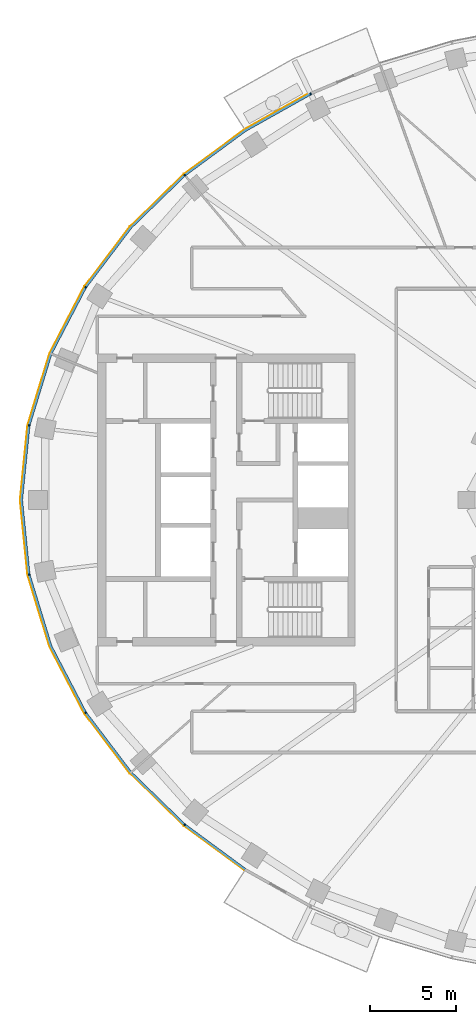
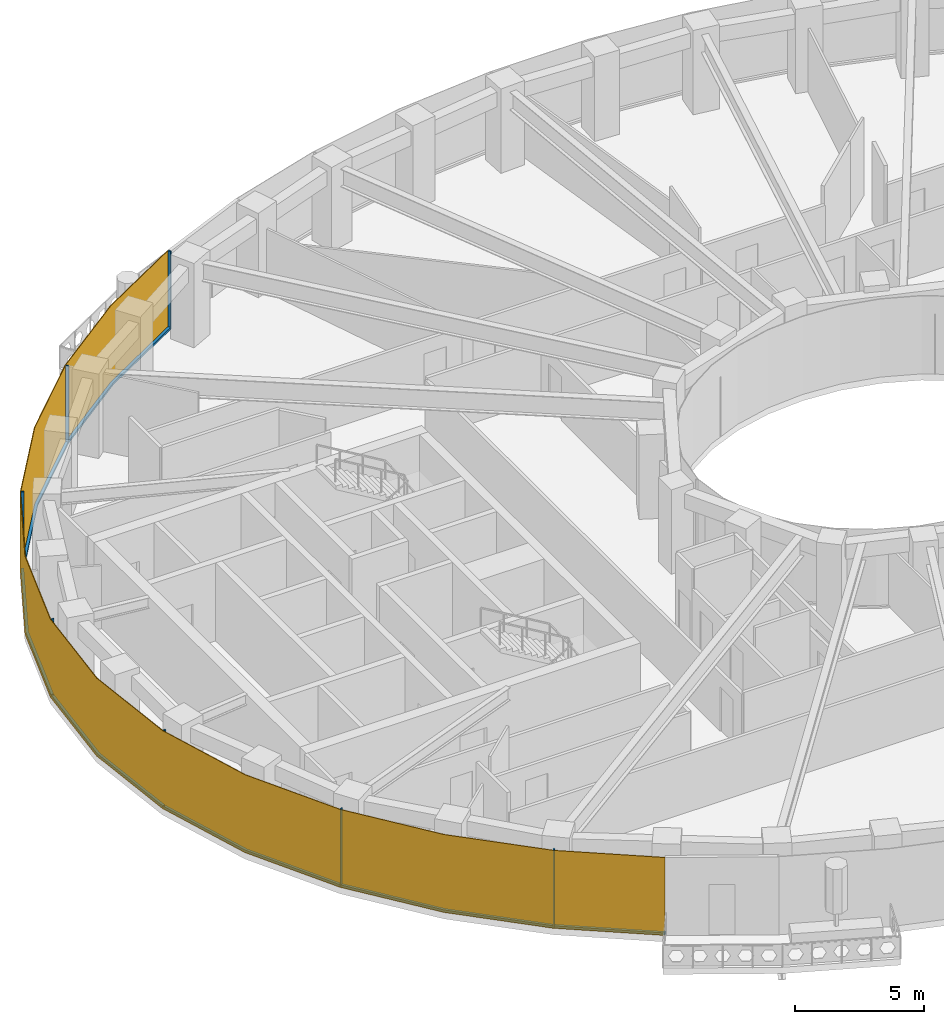
# One storey, part 8 of 15: 14 members, 1 curtain wall.
"""IFC4 building model written with IfcOpenShell, lengths in metres."""

from ifc_helpers import new_model, si_unit, direction, frame, origin, origin_2d, place, context, subcontext, project, spatial, polyline, rectangle, outline, extrude, material, layer, layer_set, material_profile, profile_set, type_object, element, aggregate, save


model = new_model("IFC4")

# Units and contexts
model_context = context("Model", 3, precision=1e-05, world=origin(), true_north=direction((0.0, 1.0)))
body_context = subcontext(model_context, "Body", "Model", "MODEL_VIEW")
ifc_project = project(units=[si_unit("LENGTHUNIT", "METRE"), si_unit("AREAUNIT", "SQUARE_METRE"), si_unit("VOLUMEUNIT", "CUBIC_METRE"), si_unit("PLANEANGLEUNIT", "RADIAN"), si_unit("MASSUNIT", "GRAM", prefix="KILO")], contexts=[model_context])

# Member
ifc_material_1 = material(Name="Aluminium 6063-T6 black anodised", Category="aluminium")
ifc_material_profile = material_profile(ifc_material_1, rectangle(XDim=0.1201171875, YDim=0.06005859375, at=origin_2d()), Name="120x60")
ifc_profile_set = profile_set([ifc_material_profile], Name="Aluminium 6063-T6 black anodised")
member_type_1 = type_object("IfcMemberType", Name="ENV-MULLION-A-120", PredefinedType="MULLION", material=ifc_profile_set)
site_placement = place(None, origin())
building_placement = place(site_placement, origin())
storey_placement = place(building_placement, frame((0.0, 0.0, 253.5)))
member_1_placement = place(storey_placement, frame((-19.06787109375, 23.6474609375, 0.0), z_axis=(0.0, 0.0, 1.0), x_axis=(0.439237769837, -0.898370848563, 0.0)))
member_1 = element("IfcMember", 1, at=member_1_placement, type_object=member_type_1, Name="Mullion A radial 17", PredefinedType="MULLION", context=body_context, shape_type="SweptSolid", body=[
    extrude(rectangle(XDim=0.1201171875, YDim=0.06005859375, at=origin_2d()), origin(), (0.0, 0.0, 1.0), 3.699951171875),
])

member_2_placement = place(storey_placement, frame((-26.403564453125, 18.9130859375, 0.0), z_axis=(0.0, 0.0, 1.0), x_axis=(0.646451313783, -0.762955240435, 0.0)))
member_2 = element("IfcMember", 2, at=member_2_placement, type_object=member_type_1, Name="Mullion A radial 19", PredefinedType="MULLION", context=body_context, shape_type="SweptSolid", body=[
    extrude(rectangle(XDim=0.1201171875, YDim=0.06005859375, at=origin_2d()), origin(), (0.0, 0.0, 1.0), 3.699951171875),
])

member_3_placement = place(storey_placement, frame((-32.177490234375, 12.385498046875, 0.0), z_axis=(0.0, 0.0, 1.0), x_axis=(0.844829880882, -0.53503501976, 0.0)))
member_3 = element("IfcMember", 3, at=member_3_placement, type_object=member_type_1, Name="Mullion A radial 21", PredefinedType="MULLION", context=body_context, shape_type="SweptSolid", body=[
    extrude(rectangle(XDim=0.1201171875, YDim=0.06005859375, at=origin_2d()), origin(), (0.0, 0.0, 1.0), 3.699951171875),
])

member_4_placement = place(storey_placement, frame((-35.470947265625, 4.340576171875, 0.0), z_axis=(0.0, 0.0, 1.0), x_axis=(0.980379083141, -0.19712141776, 0.0)))
member_4 = element("IfcMember", 4, at=member_4_placement, type_object=member_type_1, Name="Mullion A radial 23", PredefinedType="MULLION", context=body_context, shape_type="SweptSolid", body=[
    extrude(rectangle(XDim=0.1201171875, YDim=0.06005859375, at=origin_2d()), origin(), (0.0, 0.0, 1.0), 3.699951171875),
])

member_5_placement = place(storey_placement, frame((-35.470947265625, -4.340576171875, 0.0), z_axis=(0.0, 0.0, 1.0), x_axis=(0.980379083141, 0.19712141776, 0.0)))
member_5 = element("IfcMember", 5, at=member_5_placement, type_object=member_type_1, Name="Mullion A radial 25", PredefinedType="MULLION", context=body_context, shape_type="SweptSolid", body=[
    extrude(rectangle(XDim=0.1201171875, YDim=0.06005859375, at=origin_2d()), origin(), (0.0, 0.0, 1.0), 3.699951171875),
])

member_6_placement = place(storey_placement, frame((-32.177490234375, -12.385498046875, 0.0), z_axis=(0.0, 0.0, 1.0), x_axis=(0.844829880882, 0.53503501976, 0.0)))
member_6 = element("IfcMember", 6, at=member_6_placement, type_object=member_type_1, Name="Mullion A radial 27", PredefinedType="MULLION", context=body_context, shape_type="SweptSolid", body=[
    extrude(rectangle(XDim=0.1201171875, YDim=0.06005859375, at=origin_2d()), origin(), (0.0, 0.0, 1.0), 3.699951171875),
])

member_7_placement = place(storey_placement, frame((-26.403564453125, -18.9130859375, 0.0), z_axis=(0.0, 0.0, 1.0), x_axis=(0.646451313783, 0.762955240435, 0.0)))
member_7 = element("IfcMember", 7, at=member_7_placement, type_object=member_type_1, Name="Mullion A radial 29", PredefinedType="MULLION", context=body_context, shape_type="SweptSolid", body=[
    extrude(rectangle(XDim=0.1201171875, YDim=0.06005859375, at=origin_2d()), origin(), (0.0, 0.0, 1.0), 3.699951171875),
])

ifc_material_2 = material(Name="Aluminium 6063-T6 black anodised", Category="aluminium")
member_type_2 = type_object("IfcMemberType", Name="ENV-TRANSOM-A", PredefinedType="USERDEFINED", material=ifc_material_2)
member_8_placement = place(storey_placement, origin())
member_8 = element("IfcMember", 8, at=member_8_placement, type_object=member_type_2, Name="Transom A radial 17-19", ObjectType="TRANSOM", PredefinedType="USERDEFINED", context=body_context, shape_type="SweptSolid", body=[
    extrude(outline(polyline([(-19.11865234375, 23.687744140625), (-22.9150390625, 21.556884765625), (-26.419921875, 18.975341796875), (-26.342041015625, 18.883544921875), (-22.85009765625, 21.455810546875), (-19.06591796875, 23.57958984375), (-19.11865234375, 23.687744140625)])), origin(), (0.0, 0.0, 1.0), 0.10009765625),
])

member_9_placement = place(storey_placement, origin())
member_9 = element("IfcMember", 9, at=member_9_placement, type_object=member_type_2, Name="Transom A radial 19-21", ObjectType="TRANSOM", PredefinedType="USERDEFINED", context=body_context, shape_type="SweptSolid", body=[
    extrude(outline(polyline([(-26.46240234375, 18.939208984375), (-29.58349609375, 15.906982421875), (-32.211181640625, 12.43994140625), (-32.109375, 12.37548828125), (-29.493408203125, 15.8271484375), (-26.384765625, 18.847412109375), (-26.46240234375, 18.939208984375)])), origin(), (0.0, 0.0, 1.0), 0.10009765625),
])

member_10_placement = place(storey_placement, origin())
member_10 = element("IfcMember", 10, at=member_10_placement, type_object=member_type_2, Name="Transom A radial 21-23", ObjectType="TRANSOM", PredefinedType="USERDEFINED", context=body_context, shape_type="SweptSolid", body=[
    extrude(outline(polyline([(-32.240966796875, 12.392578125), (-34.251220703125, 8.53662109375), (-35.521484375, 4.379150390625), (-35.4033203125, 4.355224609375), (-34.139892578125, 8.490966796875), (-32.139404296875, 12.328369140625), (-32.240966796875, 12.392578125)])), origin(), (0.0, 0.0, 1.0), 0.10009765625),
])

member_11_placement = place(storey_placement, origin())
member_11 = element("IfcMember", 11, at=member_11_placement, type_object=member_type_2, Name="Transom A radial 23-25", ObjectType="TRANSOM", PredefinedType="USERDEFINED", context=body_context, shape_type="SweptSolid", body=[
    extrude(outline(polyline([(-35.532470703125, 4.324462890625), (-35.9677734375, 0.0), (-35.532470703125, -4.324462890625), (-35.414306640625, -4.30078125), (-35.84716796875, 0.0), (-35.414306640625, 4.30078125), (-35.532470703125, 4.324462890625)])), origin(), (0.0, 0.0, 1.0), 0.10009765625),
])

member_12_placement = place(storey_placement, origin())
member_12 = element("IfcMember", 12, at=member_12_placement, type_object=member_type_2, Name="Transom A radial 25-27", ObjectType="TRANSOM", PredefinedType="USERDEFINED", context=body_context, shape_type="SweptSolid", body=[
    extrude(outline(polyline([(-35.521484375, -4.379150390625), (-34.251220703125, -8.53662109375), (-32.240966796875, -12.392578125), (-32.139404296875, -12.328369140625), (-34.139892578125, -8.490966796875), (-35.4033203125, -4.355224609375), (-35.521484375, -4.379150390625)])), origin(), (0.0, 0.0, 1.0), 0.10009765625),
])

member_13_placement = place(storey_placement, origin())
member_13 = element("IfcMember", 13, at=member_13_placement, type_object=member_type_2, Name="Transom A radial 27-29", ObjectType="TRANSOM", PredefinedType="USERDEFINED", context=body_context, shape_type="SweptSolid", body=[
    extrude(outline(polyline([(-32.211181640625, -12.43994140625), (-29.58349609375, -15.906982421875), (-26.46240234375, -18.939208984375), (-26.384765625, -18.847412109375), (-29.493408203125, -15.8271484375), (-32.109375, -12.37548828125), (-32.211181640625, -12.43994140625)])), origin(), (0.0, 0.0, 1.0), 0.10009765625),
])

member_14_placement = place(storey_placement, origin())
member_14 = element("IfcMember", 14, at=member_14_placement, type_object=member_type_2, Name="Transom A radial 29-30", ObjectType="TRANSOM", PredefinedType="USERDEFINED", context=body_context, shape_type="SweptSolid", body=[
    extrude(outline(polyline([(-26.419921875, -18.975341796875), (-22.931396484375, -21.544921875), (-22.8662109375, -21.444091796875), (-26.342041015625, -18.883544921875), (-26.419921875, -18.975341796875)])), origin(), (0.0, 0.0, 1.0), 0.10009765625),
])

# Site, building, storey
site = spatial("IfcSite", under=ifc_project, at=site_placement, CompositionType="ELEMENT")
building = spatial("IfcBuilding", under=site, at=building_placement, Name="Noorbagh Ring Tower", CompositionType="ELEMENT")
storey = spatial("IfcBuildingStorey", under=building, at=storey_placement, Name="L53", CompositionType="ELEMENT", Elevation=253.5)

# Curtain wall
ifc_material_3 = material(Name="Glass dark tinted laminated", Category="glass")
ifc_layer = layer(ifc_material_3, 0.031982421875)
ifc_layer_set = layer_set([ifc_layer], Name="Glass dark tinted laminated")
curtain_wall_type = type_object("IfcCurtainWallType", Name="ENV-CW-A", PredefinedType="NOTDEFINED", material=ifc_layer_set)
curtain_wall_placement = place(storey_placement, origin())
curtain_wall = element("IfcCurtainWall", 15, at=curtain_wall_placement, inside=storey, type_object=curtain_wall_type, Name="Curtain wall A R17", PredefinedType="NOTDEFINED", context=body_context, shape_type="SweptSolid", body=[
    extrude(outline(polyline([(-19.125732421875, 23.720458984375), (-22.9326171875, 21.583740234375), (-26.463134765625, 18.9833984375), (-29.607666015625, 15.927978515625), (-32.255126953125, 12.434814453125), (-34.281005859375, 8.548828125), (-35.561279296875, 4.358642578125), (-36.0, 0.0), (-35.561279296875, -4.358642578125), (-34.281005859375, -8.548828125), (-32.255126953125, -12.434814453125), (-29.607666015625, -15.927978515625), (-26.463134765625, -18.9833984375), (-22.948486328125, -21.572021484375), (-22.931396484375, -21.544921875), (-26.4423828125, -18.958740234375), (-29.58349609375, -15.906982421875), (-32.22802734375, -12.41748046875), (-34.251220703125, -8.53662109375), (-35.529541015625, -4.352294921875), (-35.9677734375, 0.0), (-35.529541015625, 4.352294921875), (-34.251220703125, 8.53662109375), (-32.22802734375, 12.41748046875), (-29.58349609375, 15.906982421875), (-26.4423828125, 18.958740234375), (-22.9150390625, 21.556884765625), (-19.111572265625, 23.691650390625), (-19.125732421875, 23.720458984375)])), origin(), (0.0, 0.0, 1.0), 3.699951171875),
])

aggregate(curtain_wall, [member_1, member_2, member_3, member_4, member_5, member_6, member_7, member_8, member_9, member_10, member_11, member_12, member_13, member_14])

save(model, "model.ifc")
